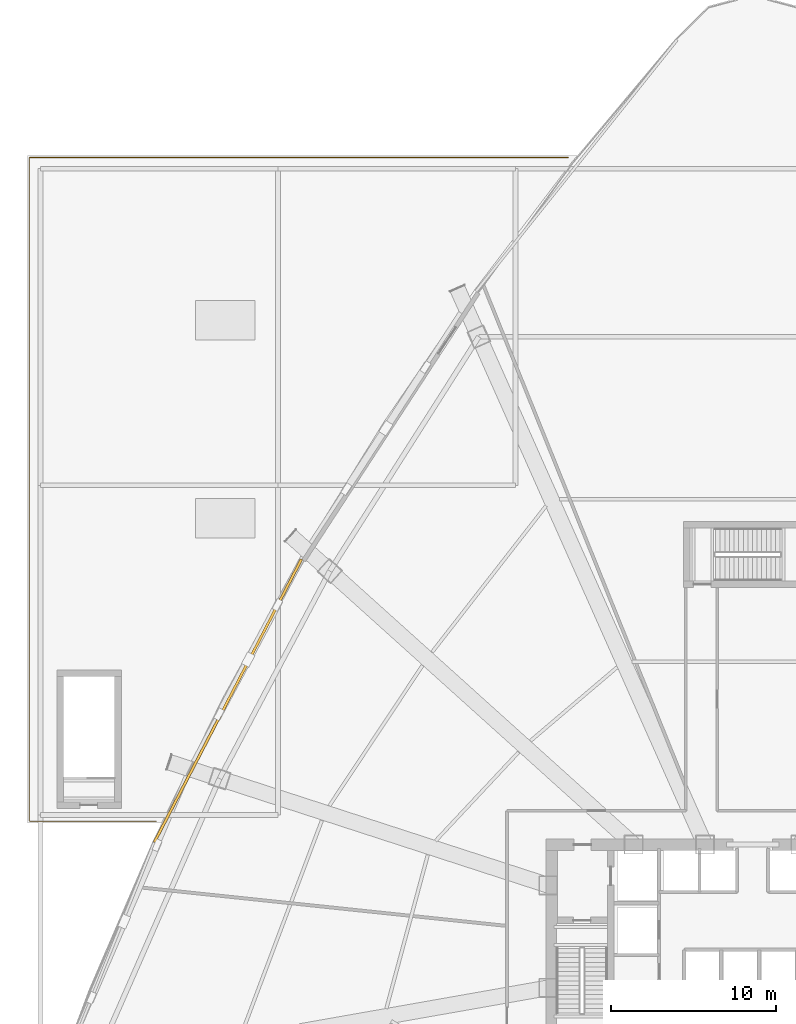
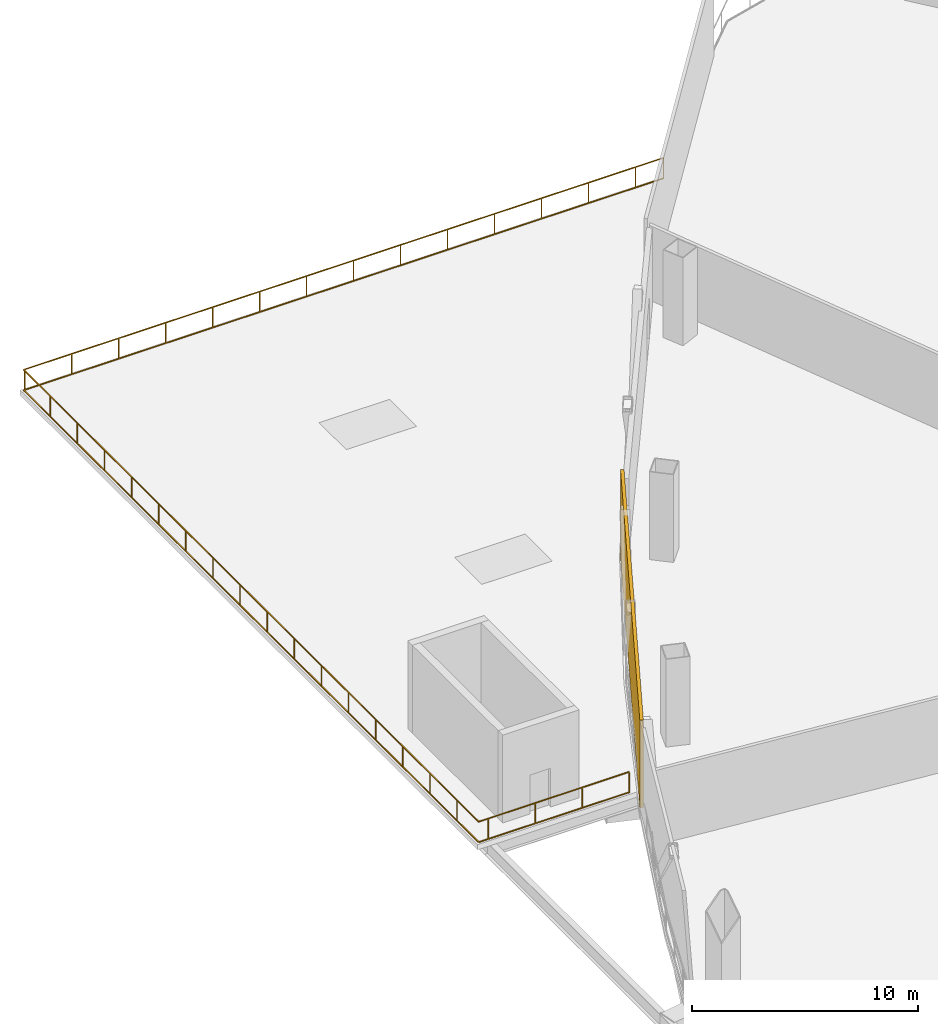
# One storey, part 16 of 18: 1 railing, 1 shading device.
"""IFC4 building model written with IfcOpenShell, lengths in metres."""

from ifc_helpers import new_model, si_unit, direction, frame, origin, origin_2d, place, context, subcontext, project, spatial, rectangle, extrude, source, transform, mapped, material, layer, layer_set, type_object, element, save


model = new_model("IFC4")

# Units and contexts
model_context = context("Model", 3, precision=1e-05, world=origin(), true_north=direction((0.0, 1.0)))
body_context = subcontext(model_context, "Body", "Model", "MODEL_VIEW")
ifc_project = project(units=[si_unit("LENGTHUNIT", "METRE"), si_unit("AREAUNIT", "SQUARE_METRE"), si_unit("VOLUMEUNIT", "CUBIC_METRE"), si_unit("PLANEANGLEUNIT", "RADIAN"), si_unit("MASSUNIT", "GRAM", prefix="KILO"), si_unit("THERMODYNAMICTEMPERATUREUNIT", "KELVIN"), si_unit("POWERUNIT", "WATT")], contexts=[model_context])

# Site, building, storey
site_placement = place(None, origin())
site = spatial("IfcSite", under=ifc_project, at=site_placement, CompositionType="ELEMENT")
building_placement = place(site_placement, origin())
building = spatial("IfcBuilding", under=site, at=building_placement, Name="Yunzhuo Pagoda Commons", CompositionType="ELEMENT")
storey_placement = place(building_placement, frame((0.0, 0.0, 25.39990234375)))
storey = spatial("IfcBuildingStorey", under=building, at=storey_placement, Name="L06", CompositionType="ELEMENT", Elevation=25.39990234375)

# Railing
ifc_material = material(Name="Anodized aluminium 6063-T6", Category="aluminium")
railing_type = type_object("IfcRailingType", Name="RL-BAL1 Exterior Terrace & Balcony Balustrade 1150", PredefinedType="BALUSTRADE", material=ifc_material)
railing_placement = place(storey_placement, frame((11.8076171875, 41.6201171875, 0.0)))
element("IfcRailing", 1, at=railing_placement, inside=storey, type_object=railing_type, Name="L06 podium roof garden 2 balustrade 1", PredefinedType="BALUSTRADE", context=body_context, shape_type="SweptSolid", body=[
    extrude(rectangle(XDim=0.048095703125, YDim=0.048095703125, at=origin_2d()), frame((0.0, 0.0, 1.1259765625), z_axis=(-1.0, 0.0, 0.0), x_axis=(0.0, -1.0, 0.0)), (0.0, 0.0, 1.0), 7.6875),
    extrude(rectangle(XDim=0.048095703125, YDim=0.048095703125, at=origin_2d()), frame((0.0, 0.0, 0.02392578125), z_axis=(-1.0, 0.0, 0.0), x_axis=(0.0, -1.0, 0.0)), (0.0, 0.0, 1.0), 7.6875),
    extrude(rectangle(XDim=0.048095703125, YDim=0.048095703125, at=origin_2d()), frame((-7.6875, 0.0, 1.1259765625), z_axis=(0.0, 1.0, 0.0), x_axis=(-1.0, 0.0, 0.0)), (0.0, 0.0, 1.0), 40.259765625),
    extrude(rectangle(XDim=0.048095703125, YDim=0.048095703125, at=origin_2d()), frame((-7.6875, 0.0, 0.02392578125), z_axis=(0.0, 1.0, 0.0), x_axis=(-1.0, 0.0, 0.0)), (0.0, 0.0, 1.0), 40.259765625),
    extrude(rectangle(XDim=0.048095703125, YDim=0.048095703125, at=origin_2d()), frame((-7.6875, 40.259765625, 1.1259765625), z_axis=(1.0, 0.0, 0.0), x_axis=(0.0, 1.0, 0.0)), (0.0, 0.0, 1.0), 32.68798828125),
    extrude(rectangle(XDim=0.048095703125, YDim=0.048095703125, at=origin_2d()), frame((-7.6875, 40.259765625, 0.02392578125), z_axis=(1.0, 0.0, 0.0), x_axis=(0.0, 1.0, 0.0)), (0.0, 0.0, 1.0), 32.68798828125),
    extrude(rectangle(XDim=0.0419921875, YDim=0.0419921875, at=origin_2d()), origin(), (0.0, 0.0, 1.0), 1.101806640625),
    extrude(rectangle(XDim=0.0419921875, YDim=0.0419921875, at=origin_2d()), frame((-2.39990234375, 0.0, 0.0)), (0.0, 0.0, 1.0), 1.101806640625),
    extrude(rectangle(XDim=0.0419921875, YDim=0.0419921875, at=origin_2d()), frame((-4.800048828125, 0.0, 0.0)), (0.0, 0.0, 1.0), 1.101806640625),
    extrude(rectangle(XDim=0.0419921875, YDim=0.0419921875, at=origin_2d()), frame((-7.199951171875, 0.0, 0.0)), (0.0, 0.0, 1.0), 1.101806640625),
    extrude(rectangle(XDim=0.0419921875, YDim=0.0419921875, at=origin_2d()), frame((-7.6875, 1.91259765625, 0.0)), (0.0, 0.0, 1.0), 1.101806640625),
    extrude(rectangle(XDim=0.0419921875, YDim=0.0419921875, at=origin_2d()), frame((-7.6875, 4.3125, 0.0)), (0.0, 0.0, 1.0), 1.101806640625),
    extrude(rectangle(XDim=0.0419921875, YDim=0.0419921875, at=origin_2d()), frame((-7.6875, 6.71240234375, 0.0)), (0.0, 0.0, 1.0), 1.101806640625),
    extrude(rectangle(XDim=0.0419921875, YDim=0.0419921875, at=origin_2d()), frame((-7.6875, 9.112548828125, 0.0)), (0.0, 0.0, 1.0), 1.101806640625),
    extrude(rectangle(XDim=0.0419921875, YDim=0.0419921875, at=origin_2d()), frame((-7.6875, 11.512451171875, 0.0)), (0.0, 0.0, 1.0), 1.101806640625),
    extrude(rectangle(XDim=0.0419921875, YDim=0.0419921875, at=origin_2d()), frame((-7.6875, 13.91259765625, 0.0)), (0.0, 0.0, 1.0), 1.101806640625),
    extrude(rectangle(XDim=0.0419921875, YDim=0.0419921875, at=origin_2d()), frame((-7.6875, 16.3125, 0.0)), (0.0, 0.0, 1.0), 1.101806640625),
    extrude(rectangle(XDim=0.0419921875, YDim=0.0419921875, at=origin_2d()), frame((-7.6875, 18.71240234375, 0.0)), (0.0, 0.0, 1.0), 1.101806640625),
    extrude(rectangle(XDim=0.0419921875, YDim=0.0419921875, at=origin_2d()), frame((-7.6875, 21.112548828125, 0.0)), (0.0, 0.0, 1.0), 1.101806640625),
    extrude(rectangle(XDim=0.0419921875, YDim=0.0419921875, at=origin_2d()), frame((-7.6875, 23.512451171875, 0.0)), (0.0, 0.0, 1.0), 1.101806640625),
    extrude(rectangle(XDim=0.0419921875, YDim=0.0419921875, at=origin_2d()), frame((-7.6875, 25.91259765625, 0.0)), (0.0, 0.0, 1.0), 1.101806640625),
    extrude(rectangle(XDim=0.0419921875, YDim=0.0419921875, at=origin_2d()), frame((-7.6875, 28.3125, 0.0)), (0.0, 0.0, 1.0), 1.101806640625),
    extrude(rectangle(XDim=0.0419921875, YDim=0.0419921875, at=origin_2d()), frame((-7.6875, 30.71240234375, 0.0)), (0.0, 0.0, 1.0), 1.101806640625),
    extrude(rectangle(XDim=0.0419921875, YDim=0.0419921875, at=origin_2d()), frame((-7.6875, 33.112548828125, 0.0)), (0.0, 0.0, 1.0), 1.101806640625),
    extrude(rectangle(XDim=0.0419921875, YDim=0.0419921875, at=origin_2d()), frame((-7.6875, 35.512451171875, 0.0)), (0.0, 0.0, 1.0), 1.101806640625),
    extrude(rectangle(XDim=0.0419921875, YDim=0.0419921875, at=origin_2d()), frame((-7.6875, 37.91259765625, 0.0)), (0.0, 0.0, 1.0), 1.101806640625),
    extrude(rectangle(XDim=0.0419921875, YDim=0.0419921875, at=origin_2d()), frame((-7.634765625, 40.259765625, 0.0)), (0.0, 0.0, 1.0), 1.101806640625),
    extrude(rectangle(XDim=0.0419921875, YDim=0.0419921875, at=origin_2d()), frame((-5.23486328125, 40.259765625, 0.0)), (0.0, 0.0, 1.0), 1.101806640625),
    extrude(rectangle(XDim=0.0419921875, YDim=0.0419921875, at=origin_2d()), frame((-2.834716796875, 40.259765625, 0.0)), (0.0, 0.0, 1.0), 1.101806640625),
    extrude(rectangle(XDim=0.0419921875, YDim=0.0419921875, at=origin_2d()), frame((-0.434814453125, 40.259765625, 0.0)), (0.0, 0.0, 1.0), 1.101806640625),
    extrude(rectangle(XDim=0.0419921875, YDim=0.0419921875, at=origin_2d()), frame((1.96533203125, 40.259765625, 0.0)), (0.0, 0.0, 1.0), 1.101806640625),
    extrude(rectangle(XDim=0.0419921875, YDim=0.0419921875, at=origin_2d()), frame((4.365234375, 40.259765625, 0.0)), (0.0, 0.0, 1.0), 1.101806640625),
    extrude(rectangle(XDim=0.0419921875, YDim=0.0419921875, at=origin_2d()), frame((6.76513671875, 40.259765625, 0.0)), (0.0, 0.0, 1.0), 1.101806640625),
    extrude(rectangle(XDim=0.0419921875, YDim=0.0419921875, at=origin_2d()), frame((9.165283203125, 40.259765625, 0.0)), (0.0, 0.0, 1.0), 1.101806640625),
    extrude(rectangle(XDim=0.0419921875, YDim=0.0419921875, at=origin_2d()), frame((11.565185546875, 40.259765625, 0.0)), (0.0, 0.0, 1.0), 1.101806640625),
    extrude(rectangle(XDim=0.0419921875, YDim=0.0419921875, at=origin_2d()), frame((13.96533203125, 40.259765625, 0.0)), (0.0, 0.0, 1.0), 1.101806640625),
    extrude(rectangle(XDim=0.0419921875, YDim=0.0419921875, at=origin_2d()), frame((16.365234375, 40.259765625, 0.0)), (0.0, 0.0, 1.0), 1.101806640625),
    extrude(rectangle(XDim=0.0419921875, YDim=0.0419921875, at=origin_2d()), frame((18.76513671875, 40.259765625, 0.0)), (0.0, 0.0, 1.0), 1.101806640625),
    extrude(rectangle(XDim=0.0419921875, YDim=0.0419921875, at=origin_2d()), frame((21.165283203125, 40.259765625, 0.0)), (0.0, 0.0, 1.0), 1.101806640625),
    extrude(rectangle(XDim=0.0419921875, YDim=0.0419921875, at=origin_2d()), frame((23.565185546875, 40.259765625, 0.0)), (0.0, 0.0, 1.0), 1.101806640625),
    extrude(rectangle(XDim=0.0419921875, YDim=0.0419921875, at=origin_2d()), frame((25.00048828125, 40.259765625, 0.0)), (0.0, 0.0, 1.0), 1.101806640625),
])

# Shading device
ifc_layer = layer(ifc_material, 0.159912109375)
ifc_layer_set = layer_set([ifc_layer], Name="Anodized aluminium 6063-T6")
shading_device_type = type_object("IfcShadingDeviceType", Name="SH-SCR1 Stormproof Refuge Louvre Screen", PredefinedType="JALOUSIE", material=ifc_layer_set)
shared_shape = source(origin(), body_context, "Body", "SweptSolid", [
    extrude(rectangle(XDim=19.345947265625, YDim=0.159912109375, at=origin_2d()), origin(), (0.0, 0.0, 1.0), 4.739990234375),
])
shading_device_placement = place(storey_placement, frame((16.168212890625, 48.926513671875, 0.0), z_axis=(0.0, 0.0, 1.0), x_axis=(-0.461206683033, -0.88729273384, 0.0)))
element("IfcShadingDevice", 2, at=shading_device_placement, inside=storey, type_object=shading_device_type, Name="L06 stormproof refuge louvre screen F3.3", PredefinedType="JALOUSIE", context=body_context, shape_type="MappedRepresentation", body=[
    mapped(shared_shape, transform((0.0, 0.0, 0.0), scale=1.0)),
])

save(model, "model.ifc")
